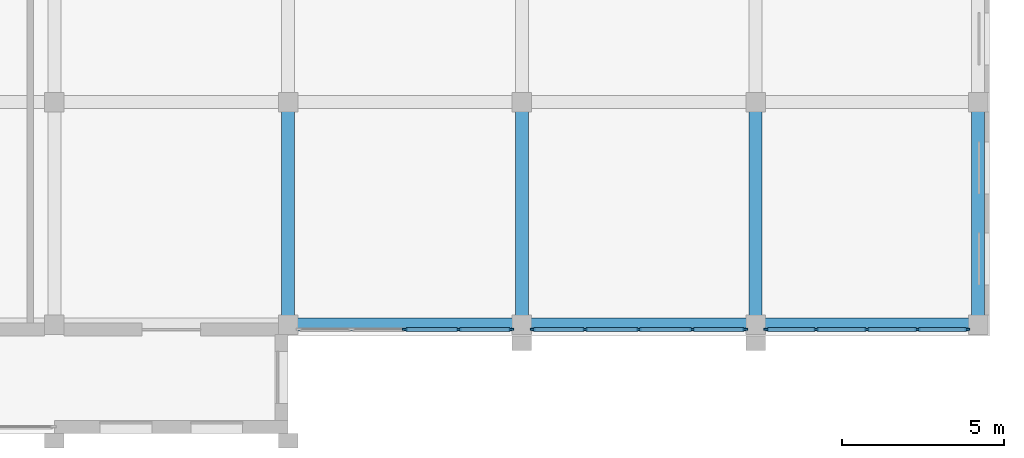
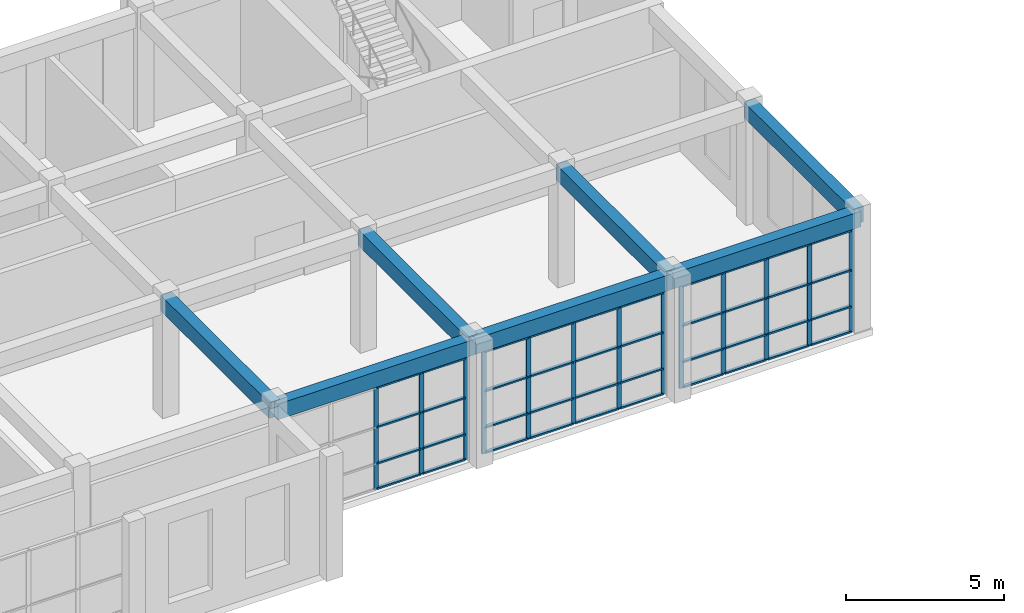
# One storey, part 105 of 149: 53 members, 7 beams, 3 elements without a shape of their own.
"""IFC4 building model written with IfcOpenShell, lengths in metres."""

from ifc_helpers import new_model, si_unit, direction, frame, origin, origin_2d, place, context, subcontext, project, spatial, rectangle, extrude, material, material_profile, profile_set, type_object, element, aggregate, save


model = new_model("IFC4")

# Units and contexts
model_context = context("Model", 3, precision=1e-05, world=origin(), true_north=direction((0.0, 1.0)))
body_context = subcontext(model_context, "Body", "Model", "MODEL_VIEW")
ifc_project = project(units=[si_unit("LENGTHUNIT", "METRE"), si_unit("AREAUNIT", "SQUARE_METRE"), si_unit("VOLUMEUNIT", "CUBIC_METRE"), si_unit("PLANEANGLEUNIT", "RADIAN"), si_unit("MASSUNIT", "GRAM", prefix="KILO")], contexts=[model_context])

# Site, building, storey
site_placement = place(None, origin())
site = spatial("IfcSite", under=ifc_project, at=site_placement, CompositionType="ELEMENT")
building_placement = place(site_placement, origin())
building = spatial("IfcBuilding", under=site, at=building_placement, Name="Alderwick Market Hall", CompositionType="ELEMENT")
storey_placement = place(building_placement, frame((0.0, 0.0, 9.60009765625)))
storey = spatial("IfcBuildingStorey", under=building, at=storey_placement, Name="L01", CompositionType="ELEMENT", Elevation=9.60009765625)

# Curtain wall, members
ifc_material_1 = material(Name="F Curtain Wall 1800 module")
curtain_wall_type = type_object("IfcCurtainWallType", Name="F Curtain Wall 1800 module", PredefinedType="NOTDEFINED", material=ifc_material_1)
curtain_wall_1_placement = place(storey_placement, origin())
curtain_wall_1 = element("IfcCurtainWall", 1, at=curtain_wall_1_placement, inside=storey, type_object=curtain_wall_type, Name="F.cw.L01.08", PredefinedType="NOTDEFINED")
ifc_material_2 = material(Name="Aluminium alloy 6063-T6", Category="aluminium")
ifc_material_profile_1 = material_profile(ifc_material_2, rectangle(XDim=0.06005859375, YDim=0.159912109375, at=origin_2d()), Name="AL 60x160")
ifc_profile_set_1 = profile_set([ifc_material_profile_1], Name="Aluminium alloy 6063-T6")
member_type_1 = type_object("IfcMemberType", Name="F Curtain Wall Mullion 60x160", PredefinedType="MULLION", material=ifc_profile_set_1)
member_1_placement = place(storey_placement, frame((215.669921875, 129.800048828125, 0.0), z_axis=(0.0, 0.0, 1.0), x_axis=(0.0, -1.0, 0.0)))
member_1 = element("IfcMember", 2, at=member_1_placement, type_object=member_type_1, Name="F-CW mullion 1", PredefinedType="MULLION", context=body_context, shape_type="SweptSolid", body=[
    extrude(rectangle(XDim=0.06005859375, YDim=0.159912109375, at=origin_2d()), origin(), (0.0, 0.0, 1.0), 3.949951171875),
])
member_2_placement = place(storey_placement, frame((214.050048828125, 129.800048828125, 0.0), z_axis=(0.0, 0.0, 1.0), x_axis=(0.0, -1.0, 0.0)))
member_2 = element("IfcMember", 3, at=member_2_placement, type_object=member_type_1, Name="F-CW mullion 2", PredefinedType="MULLION", context=body_context, shape_type="SweptSolid", body=[
    extrude(rectangle(XDim=0.06005859375, YDim=0.159912109375, at=origin_2d()), origin(), (0.0, 0.0, 1.0), 3.949951171875),
])
member_3_placement = place(storey_placement, frame((212.39990234375, 129.800048828125, 0.0), z_axis=(0.0, 0.0, 1.0), x_axis=(0.0, -1.0, 0.0)))
member_3 = element("IfcMember", 4, at=member_3_placement, type_object=member_type_1, Name="F-CW mullion 3", PredefinedType="MULLION", context=body_context, shape_type="SweptSolid", body=[
    extrude(rectangle(XDim=0.06005859375, YDim=0.159912109375, at=origin_2d()), origin(), (0.0, 0.0, 1.0), 3.949951171875),
])

curtain_wall_2_placement = place(storey_placement, origin())
curtain_wall_2 = element("IfcCurtainWall", 5, at=curtain_wall_2_placement, inside=storey, type_object=curtain_wall_type, Name="F.cw.L01.09", PredefinedType="NOTDEFINED")
member_4_placement = place(storey_placement, frame((222.8701171875, 129.800048828125, 0.0), z_axis=(0.0, 0.0, 1.0), x_axis=(0.0, -1.0, 0.0)))
member_4 = element("IfcMember", 6, at=member_4_placement, type_object=member_type_1, Name="F-CW mullion 1", PredefinedType="MULLION", context=body_context, shape_type="SweptSolid", body=[
    extrude(rectangle(XDim=0.06005859375, YDim=0.159912109375, at=origin_2d()), origin(), (0.0, 0.0, 1.0), 3.949951171875),
])
member_5_placement = place(storey_placement, frame((221.25, 129.800048828125, 0.0), z_axis=(0.0, 0.0, 1.0), x_axis=(0.0, -1.0, 0.0)))
member_5 = element("IfcMember", 7, at=member_5_placement, type_object=member_type_1, Name="F-CW mullion 2", PredefinedType="MULLION", context=body_context, shape_type="SweptSolid", body=[
    extrude(rectangle(XDim=0.06005859375, YDim=0.159912109375, at=origin_2d()), origin(), (0.0, 0.0, 1.0), 3.949951171875),
])
member_6_placement = place(storey_placement, frame((219.60009765625, 129.800048828125, 0.0), z_axis=(0.0, 0.0, 1.0), x_axis=(0.0, -1.0, 0.0)))
member_6 = element("IfcMember", 8, at=member_6_placement, type_object=member_type_1, Name="F-CW mullion 3", PredefinedType="MULLION", context=body_context, shape_type="SweptSolid", body=[
    extrude(rectangle(XDim=0.06005859375, YDim=0.159912109375, at=origin_2d()), origin(), (0.0, 0.0, 1.0), 3.949951171875),
])
member_7_placement = place(storey_placement, frame((217.949951171875, 129.800048828125, 0.0), z_axis=(0.0, 0.0, 1.0), x_axis=(0.0, -1.0, 0.0)))
member_7 = element("IfcMember", 9, at=member_7_placement, type_object=member_type_1, Name="F-CW mullion 4", PredefinedType="MULLION", context=body_context, shape_type="SweptSolid", body=[
    extrude(rectangle(XDim=0.06005859375, YDim=0.159912109375, at=origin_2d()), origin(), (0.0, 0.0, 1.0), 3.949951171875),
])
member_8_placement = place(storey_placement, frame((216.330078125, 129.800048828125, 0.0), z_axis=(0.0, 0.0, 1.0), x_axis=(0.0, -1.0, 0.0)))
member_8 = element("IfcMember", 10, at=member_8_placement, type_object=member_type_1, Name="F-CW mullion 5", PredefinedType="MULLION", context=body_context, shape_type="SweptSolid", body=[
    extrude(rectangle(XDim=0.06005859375, YDim=0.159912109375, at=origin_2d()), origin(), (0.0, 0.0, 1.0), 3.949951171875),
])

curtain_wall_3_placement = place(storey_placement, origin())
curtain_wall_3 = element("IfcCurtainWall", 11, at=curtain_wall_3_placement, inside=storey, type_object=curtain_wall_type, Name="F.cw.L01.10", PredefinedType="NOTDEFINED")
member_9_placement = place(storey_placement, frame((229.719970703125, 129.800048828125, 0.0), z_axis=(0.0, 0.0, 1.0), x_axis=(0.0, -1.0, 0.0)))
member_9 = element("IfcMember", 12, at=member_9_placement, type_object=member_type_1, Name="F-CW mullion 1", PredefinedType="MULLION", context=body_context, shape_type="SweptSolid", body=[
    extrude(rectangle(XDim=0.06005859375, YDim=0.159912109375, at=origin_2d()), origin(), (0.0, 0.0, 1.0), 3.949951171875),
])
member_10_placement = place(storey_placement, frame((228.1875, 129.800048828125, 0.0), z_axis=(0.0, 0.0, 1.0), x_axis=(0.0, -1.0, 0.0)))
member_10 = element("IfcMember", 13, at=member_10_placement, type_object=member_type_1, Name="F-CW mullion 2", PredefinedType="MULLION", context=body_context, shape_type="SweptSolid", body=[
    extrude(rectangle(XDim=0.06005859375, YDim=0.159912109375, at=origin_2d()), origin(), (0.0, 0.0, 1.0), 3.949951171875),
])
member_11_placement = place(storey_placement, frame((226.625, 129.800048828125, 0.0), z_axis=(0.0, 0.0, 1.0), x_axis=(0.0, -1.0, 0.0)))
member_11 = element("IfcMember", 14, at=member_11_placement, type_object=member_type_1, Name="F-CW mullion 3", PredefinedType="MULLION", context=body_context, shape_type="SweptSolid", body=[
    extrude(rectangle(XDim=0.06005859375, YDim=0.159912109375, at=origin_2d()), origin(), (0.0, 0.0, 1.0), 3.949951171875),
])
member_12_placement = place(storey_placement, frame((225.0625, 129.800048828125, 0.0), z_axis=(0.0, 0.0, 1.0), x_axis=(0.0, -1.0, 0.0)))
member_12 = element("IfcMember", 15, at=member_12_placement, type_object=member_type_1, Name="F-CW mullion 4", PredefinedType="MULLION", context=body_context, shape_type="SweptSolid", body=[
    extrude(rectangle(XDim=0.06005859375, YDim=0.159912109375, at=origin_2d()), origin(), (0.0, 0.0, 1.0), 3.949951171875),
])
member_13_placement = place(storey_placement, frame((223.530029296875, 129.800048828125, 0.0), z_axis=(0.0, 0.0, 1.0), x_axis=(0.0, -1.0, 0.0)))
member_13 = element("IfcMember", 16, at=member_13_placement, type_object=member_type_1, Name="F-CW mullion 5", PredefinedType="MULLION", context=body_context, shape_type="SweptSolid", body=[
    extrude(rectangle(XDim=0.06005859375, YDim=0.159912109375, at=origin_2d()), origin(), (0.0, 0.0, 1.0), 3.949951171875),
])

# Member
ifc_material_profile_2 = material_profile(ifc_material_2, rectangle(XDim=0.1201171875, YDim=0.06005859375, at=origin_2d()), Name="AL 60x120")
ifc_profile_set_2 = profile_set([ifc_material_profile_2], Name="Aluminium alloy 6063-T6")
member_type_2 = type_object("IfcMemberType", Name="F Curtain Wall Transom 60x120", PredefinedType="USERDEFINED", material=ifc_profile_set_2)
member_14_placement = place(storey_placement, frame((215.639892578125, 129.800048828125, 0.02978515625), z_axis=(-1.0, 0.0, 0.0), x_axis=(0.0, -1.0, 0.0)))
member_14 = element("IfcMember", 17, at=member_14_placement, type_object=member_type_2, Name="F-CW transom 1.1", ObjectType="TRANSOM", PredefinedType="USERDEFINED", context=body_context, shape_type="SweptSolid", body=[
    extrude(rectangle(XDim=0.1201171875, YDim=0.06005859375, at=origin_2d()), origin(), (0.0, 0.0, 1.0), 1.559814453125),
])

member_15_placement = place(storey_placement, frame((215.639892578125, 129.800048828125, 1.0), z_axis=(-1.0, 0.0, 0.0), x_axis=(0.0, -1.0, 0.0)))
member_15 = element("IfcMember", 18, at=member_15_placement, type_object=member_type_2, Name="F-CW transom 1.2", ObjectType="TRANSOM", PredefinedType="USERDEFINED", context=body_context, shape_type="SweptSolid", body=[
    extrude(rectangle(XDim=0.1201171875, YDim=0.06005859375, at=origin_2d()), origin(), (0.0, 0.0, 1.0), 1.559814453125),
])

member_16_placement = place(storey_placement, frame((215.639892578125, 129.800048828125, 2.39990234375), z_axis=(-1.0, 0.0, 0.0), x_axis=(0.0, -1.0, 0.0)))
member_16 = element("IfcMember", 19, at=member_16_placement, type_object=member_type_2, Name="F-CW transom 1.3", ObjectType="TRANSOM", PredefinedType="USERDEFINED", context=body_context, shape_type="SweptSolid", body=[
    extrude(rectangle(XDim=0.1201171875, YDim=0.06005859375, at=origin_2d()), origin(), (0.0, 0.0, 1.0), 1.559814453125),
])

member_17_placement = place(storey_placement, frame((215.639892578125, 129.800048828125, 3.919921875), z_axis=(-1.0, 0.0, 0.0), x_axis=(0.0, -1.0, 0.0)))
member_17 = element("IfcMember", 20, at=member_17_placement, type_object=member_type_2, Name="F-CW transom 1.4", ObjectType="TRANSOM", PredefinedType="USERDEFINED", context=body_context, shape_type="SweptSolid", body=[
    extrude(rectangle(XDim=0.1201171875, YDim=0.06005859375, at=origin_2d()), origin(), (0.0, 0.0, 1.0), 1.559814453125),
])

member_18_placement = place(storey_placement, frame((214.02001953125, 129.800048828125, 0.02978515625), z_axis=(-1.0, 0.0, 0.0), x_axis=(0.0, -1.0, 0.0)))
member_18 = element("IfcMember", 21, at=member_18_placement, type_object=member_type_2, Name="F-CW transom 2.1", ObjectType="TRANSOM", PredefinedType="USERDEFINED", context=body_context, shape_type="SweptSolid", body=[
    extrude(rectangle(XDim=0.1201171875, YDim=0.06005859375, at=origin_2d()), origin(), (0.0, 0.0, 1.0), 1.590087890625),
])

member_19_placement = place(storey_placement, frame((214.02001953125, 129.800048828125, 1.0), z_axis=(-1.0, 0.0, 0.0), x_axis=(0.0, -1.0, 0.0)))
member_19 = element("IfcMember", 22, at=member_19_placement, type_object=member_type_2, Name="F-CW transom 2.2", ObjectType="TRANSOM", PredefinedType="USERDEFINED", context=body_context, shape_type="SweptSolid", body=[
    extrude(rectangle(XDim=0.1201171875, YDim=0.06005859375, at=origin_2d()), origin(), (0.0, 0.0, 1.0), 1.590087890625),
])

member_20_placement = place(storey_placement, frame((214.02001953125, 129.800048828125, 2.39990234375), z_axis=(-1.0, 0.0, 0.0), x_axis=(0.0, -1.0, 0.0)))
member_20 = element("IfcMember", 23, at=member_20_placement, type_object=member_type_2, Name="F-CW transom 2.3", ObjectType="TRANSOM", PredefinedType="USERDEFINED", context=body_context, shape_type="SweptSolid", body=[
    extrude(rectangle(XDim=0.1201171875, YDim=0.06005859375, at=origin_2d()), origin(), (0.0, 0.0, 1.0), 1.590087890625),
])

member_21_placement = place(storey_placement, frame((214.02001953125, 129.800048828125, 3.919921875), z_axis=(-1.0, 0.0, 0.0), x_axis=(0.0, -1.0, 0.0)))
member_21 = element("IfcMember", 24, at=member_21_placement, type_object=member_type_2, Name="F-CW transom 2.4", ObjectType="TRANSOM", PredefinedType="USERDEFINED", context=body_context, shape_type="SweptSolid", body=[
    extrude(rectangle(XDim=0.1201171875, YDim=0.06005859375, at=origin_2d()), origin(), (0.0, 0.0, 1.0), 1.590087890625),
])

aggregate(curtain_wall_1, [member_1, member_2, member_3, member_14, member_15, member_16, member_17, member_18, member_19, member_20, member_21])

member_22_placement = place(storey_placement, frame((222.840087890625, 129.800048828125, 0.02978515625), z_axis=(-1.0, 0.0, 0.0), x_axis=(0.0, -1.0, 0.0)))
member_22 = element("IfcMember", 25, at=member_22_placement, type_object=member_type_2, Name="F-CW transom 1.1", ObjectType="TRANSOM", PredefinedType="USERDEFINED", context=body_context, shape_type="SweptSolid", body=[
    extrude(rectangle(XDim=0.1201171875, YDim=0.06005859375, at=origin_2d()), origin(), (0.0, 0.0, 1.0), 1.56005859375),
])

member_23_placement = place(storey_placement, frame((222.840087890625, 129.800048828125, 1.0), z_axis=(-1.0, 0.0, 0.0), x_axis=(0.0, -1.0, 0.0)))
member_23 = element("IfcMember", 26, at=member_23_placement, type_object=member_type_2, Name="F-CW transom 1.2", ObjectType="TRANSOM", PredefinedType="USERDEFINED", context=body_context, shape_type="SweptSolid", body=[
    extrude(rectangle(XDim=0.1201171875, YDim=0.06005859375, at=origin_2d()), origin(), (0.0, 0.0, 1.0), 1.56005859375),
])

member_24_placement = place(storey_placement, frame((222.840087890625, 129.800048828125, 2.39990234375), z_axis=(-1.0, 0.0, 0.0), x_axis=(0.0, -1.0, 0.0)))
member_24 = element("IfcMember", 27, at=member_24_placement, type_object=member_type_2, Name="F-CW transom 1.3", ObjectType="TRANSOM", PredefinedType="USERDEFINED", context=body_context, shape_type="SweptSolid", body=[
    extrude(rectangle(XDim=0.1201171875, YDim=0.06005859375, at=origin_2d()), origin(), (0.0, 0.0, 1.0), 1.56005859375),
])

member_25_placement = place(storey_placement, frame((222.840087890625, 129.800048828125, 3.919921875), z_axis=(-1.0, 0.0, 0.0), x_axis=(0.0, -1.0, 0.0)))
member_25 = element("IfcMember", 28, at=member_25_placement, type_object=member_type_2, Name="F-CW transom 1.4", ObjectType="TRANSOM", PredefinedType="USERDEFINED", context=body_context, shape_type="SweptSolid", body=[
    extrude(rectangle(XDim=0.1201171875, YDim=0.06005859375, at=origin_2d()), origin(), (0.0, 0.0, 1.0), 1.56005859375),
])

member_26_placement = place(storey_placement, frame((221.219970703125, 129.800048828125, 0.02978515625), z_axis=(-1.0, 0.0, 0.0), x_axis=(0.0, -1.0, 0.0)))
member_26 = element("IfcMember", 29, at=member_26_placement, type_object=member_type_2, Name="F-CW transom 2.1", ObjectType="TRANSOM", PredefinedType="USERDEFINED", context=body_context, shape_type="SweptSolid", body=[
    extrude(rectangle(XDim=0.1201171875, YDim=0.06005859375, at=origin_2d()), origin(), (0.0, 0.0, 1.0), 1.590087890625),
])

member_27_placement = place(storey_placement, frame((221.219970703125, 129.800048828125, 1.0), z_axis=(-1.0, 0.0, 0.0), x_axis=(0.0, -1.0, 0.0)))
member_27 = element("IfcMember", 30, at=member_27_placement, type_object=member_type_2, Name="F-CW transom 2.2", ObjectType="TRANSOM", PredefinedType="USERDEFINED", context=body_context, shape_type="SweptSolid", body=[
    extrude(rectangle(XDim=0.1201171875, YDim=0.06005859375, at=origin_2d()), origin(), (0.0, 0.0, 1.0), 1.590087890625),
])

member_28_placement = place(storey_placement, frame((221.219970703125, 129.800048828125, 2.39990234375), z_axis=(-1.0, 0.0, 0.0), x_axis=(0.0, -1.0, 0.0)))
member_28 = element("IfcMember", 31, at=member_28_placement, type_object=member_type_2, Name="F-CW transom 2.3", ObjectType="TRANSOM", PredefinedType="USERDEFINED", context=body_context, shape_type="SweptSolid", body=[
    extrude(rectangle(XDim=0.1201171875, YDim=0.06005859375, at=origin_2d()), origin(), (0.0, 0.0, 1.0), 1.590087890625),
])

member_29_placement = place(storey_placement, frame((221.219970703125, 129.800048828125, 3.919921875), z_axis=(-1.0, 0.0, 0.0), x_axis=(0.0, -1.0, 0.0)))
member_29 = element("IfcMember", 32, at=member_29_placement, type_object=member_type_2, Name="F-CW transom 2.4", ObjectType="TRANSOM", PredefinedType="USERDEFINED", context=body_context, shape_type="SweptSolid", body=[
    extrude(rectangle(XDim=0.1201171875, YDim=0.06005859375, at=origin_2d()), origin(), (0.0, 0.0, 1.0), 1.590087890625),
])

member_30_placement = place(storey_placement, frame((219.570068359375, 129.800048828125, 0.02978515625), z_axis=(-1.0, 0.0, 0.0), x_axis=(0.0, -1.0, 0.0)))
member_30 = element("IfcMember", 33, at=member_30_placement, type_object=member_type_2, Name="F-CW transom 3.1", ObjectType="TRANSOM", PredefinedType="USERDEFINED", context=body_context, shape_type="SweptSolid", body=[
    extrude(rectangle(XDim=0.1201171875, YDim=0.06005859375, at=origin_2d()), origin(), (0.0, 0.0, 1.0), 1.590087890625),
])

member_31_placement = place(storey_placement, frame((219.570068359375, 129.800048828125, 1.0), z_axis=(-1.0, 0.0, 0.0), x_axis=(0.0, -1.0, 0.0)))
member_31 = element("IfcMember", 34, at=member_31_placement, type_object=member_type_2, Name="F-CW transom 3.2", ObjectType="TRANSOM", PredefinedType="USERDEFINED", context=body_context, shape_type="SweptSolid", body=[
    extrude(rectangle(XDim=0.1201171875, YDim=0.06005859375, at=origin_2d()), origin(), (0.0, 0.0, 1.0), 1.590087890625),
])

member_32_placement = place(storey_placement, frame((219.570068359375, 129.800048828125, 2.39990234375), z_axis=(-1.0, 0.0, 0.0), x_axis=(0.0, -1.0, 0.0)))
member_32 = element("IfcMember", 35, at=member_32_placement, type_object=member_type_2, Name="F-CW transom 3.3", ObjectType="TRANSOM", PredefinedType="USERDEFINED", context=body_context, shape_type="SweptSolid", body=[
    extrude(rectangle(XDim=0.1201171875, YDim=0.06005859375, at=origin_2d()), origin(), (0.0, 0.0, 1.0), 1.590087890625),
])

member_33_placement = place(storey_placement, frame((219.570068359375, 129.800048828125, 3.919921875), z_axis=(-1.0, 0.0, 0.0), x_axis=(0.0, -1.0, 0.0)))
member_33 = element("IfcMember", 36, at=member_33_placement, type_object=member_type_2, Name="F-CW transom 3.4", ObjectType="TRANSOM", PredefinedType="USERDEFINED", context=body_context, shape_type="SweptSolid", body=[
    extrude(rectangle(XDim=0.1201171875, YDim=0.06005859375, at=origin_2d()), origin(), (0.0, 0.0, 1.0), 1.590087890625),
])

member_34_placement = place(storey_placement, frame((217.919921875, 129.800048828125, 0.02978515625), z_axis=(-1.0, 0.0, 0.0), x_axis=(0.0, -1.0, 0.0)))
member_34 = element("IfcMember", 37, at=member_34_placement, type_object=member_type_2, Name="F-CW transom 4.1", ObjectType="TRANSOM", PredefinedType="USERDEFINED", context=body_context, shape_type="SweptSolid", body=[
    extrude(rectangle(XDim=0.1201171875, YDim=0.06005859375, at=origin_2d()), origin(), (0.0, 0.0, 1.0), 1.559814453125),
])

member_35_placement = place(storey_placement, frame((217.919921875, 129.800048828125, 1.0), z_axis=(-1.0, 0.0, 0.0), x_axis=(0.0, -1.0, 0.0)))
member_35 = element("IfcMember", 38, at=member_35_placement, type_object=member_type_2, Name="F-CW transom 4.2", ObjectType="TRANSOM", PredefinedType="USERDEFINED", context=body_context, shape_type="SweptSolid", body=[
    extrude(rectangle(XDim=0.1201171875, YDim=0.06005859375, at=origin_2d()), origin(), (0.0, 0.0, 1.0), 1.559814453125),
])

member_36_placement = place(storey_placement, frame((217.919921875, 129.800048828125, 2.39990234375), z_axis=(-1.0, 0.0, 0.0), x_axis=(0.0, -1.0, 0.0)))
member_36 = element("IfcMember", 39, at=member_36_placement, type_object=member_type_2, Name="F-CW transom 4.3", ObjectType="TRANSOM", PredefinedType="USERDEFINED", context=body_context, shape_type="SweptSolid", body=[
    extrude(rectangle(XDim=0.1201171875, YDim=0.06005859375, at=origin_2d()), origin(), (0.0, 0.0, 1.0), 1.559814453125),
])

member_37_placement = place(storey_placement, frame((217.919921875, 129.800048828125, 3.919921875), z_axis=(-1.0, 0.0, 0.0), x_axis=(0.0, -1.0, 0.0)))
member_37 = element("IfcMember", 40, at=member_37_placement, type_object=member_type_2, Name="F-CW transom 4.4", ObjectType="TRANSOM", PredefinedType="USERDEFINED", context=body_context, shape_type="SweptSolid", body=[
    extrude(rectangle(XDim=0.1201171875, YDim=0.06005859375, at=origin_2d()), origin(), (0.0, 0.0, 1.0), 1.559814453125),
])

aggregate(curtain_wall_2, [member_4, member_5, member_6, member_7, member_8, member_22, member_23, member_24, member_25, member_26, member_27, member_28, member_29, member_30, member_31, member_32, member_33, member_34, member_35, member_36, member_37])

member_38_placement = place(storey_placement, frame((229.68994140625, 129.800048828125, 0.02978515625), z_axis=(-1.0, 0.0, 0.0), x_axis=(0.0, -1.0, 0.0)))
member_38 = element("IfcMember", 41, at=member_38_placement, type_object=member_type_2, Name="F-CW transom 1.1", ObjectType="TRANSOM", PredefinedType="USERDEFINED", context=body_context, shape_type="SweptSolid", body=[
    extrude(rectangle(XDim=0.1201171875, YDim=0.06005859375, at=origin_2d()), origin(), (0.0, 0.0, 1.0), 1.472412109375),
])

member_39_placement = place(storey_placement, frame((229.68994140625, 129.800048828125, 1.0), z_axis=(-1.0, 0.0, 0.0), x_axis=(0.0, -1.0, 0.0)))
member_39 = element("IfcMember", 42, at=member_39_placement, type_object=member_type_2, Name="F-CW transom 1.2", ObjectType="TRANSOM", PredefinedType="USERDEFINED", context=body_context, shape_type="SweptSolid", body=[
    extrude(rectangle(XDim=0.1201171875, YDim=0.06005859375, at=origin_2d()), origin(), (0.0, 0.0, 1.0), 1.472412109375),
])

member_40_placement = place(storey_placement, frame((229.68994140625, 129.800048828125, 2.39990234375), z_axis=(-1.0, 0.0, 0.0), x_axis=(0.0, -1.0, 0.0)))
member_40 = element("IfcMember", 43, at=member_40_placement, type_object=member_type_2, Name="F-CW transom 1.3", ObjectType="TRANSOM", PredefinedType="USERDEFINED", context=body_context, shape_type="SweptSolid", body=[
    extrude(rectangle(XDim=0.1201171875, YDim=0.06005859375, at=origin_2d()), origin(), (0.0, 0.0, 1.0), 1.472412109375),
])

member_41_placement = place(storey_placement, frame((229.68994140625, 129.800048828125, 3.919921875), z_axis=(-1.0, 0.0, 0.0), x_axis=(0.0, -1.0, 0.0)))
member_41 = element("IfcMember", 44, at=member_41_placement, type_object=member_type_2, Name="F-CW transom 1.4", ObjectType="TRANSOM", PredefinedType="USERDEFINED", context=body_context, shape_type="SweptSolid", body=[
    extrude(rectangle(XDim=0.1201171875, YDim=0.06005859375, at=origin_2d()), origin(), (0.0, 0.0, 1.0), 1.472412109375),
])

member_42_placement = place(storey_placement, frame((228.157470703125, 129.800048828125, 0.02978515625), z_axis=(-1.0, 0.0, 0.0), x_axis=(0.0, -1.0, 0.0)))
member_42 = element("IfcMember", 45, at=member_42_placement, type_object=member_type_2, Name="F-CW transom 2.1", ObjectType="TRANSOM", PredefinedType="USERDEFINED", context=body_context, shape_type="SweptSolid", body=[
    extrude(rectangle(XDim=0.1201171875, YDim=0.06005859375, at=origin_2d()), origin(), (0.0, 0.0, 1.0), 1.50244140625),
])

member_43_placement = place(storey_placement, frame((228.157470703125, 129.800048828125, 1.0), z_axis=(-1.0, 0.0, 0.0), x_axis=(0.0, -1.0, 0.0)))
member_43 = element("IfcMember", 46, at=member_43_placement, type_object=member_type_2, Name="F-CW transom 2.2", ObjectType="TRANSOM", PredefinedType="USERDEFINED", context=body_context, shape_type="SweptSolid", body=[
    extrude(rectangle(XDim=0.1201171875, YDim=0.06005859375, at=origin_2d()), origin(), (0.0, 0.0, 1.0), 1.50244140625),
])

member_44_placement = place(storey_placement, frame((228.157470703125, 129.800048828125, 2.39990234375), z_axis=(-1.0, 0.0, 0.0), x_axis=(0.0, -1.0, 0.0)))
member_44 = element("IfcMember", 47, at=member_44_placement, type_object=member_type_2, Name="F-CW transom 2.3", ObjectType="TRANSOM", PredefinedType="USERDEFINED", context=body_context, shape_type="SweptSolid", body=[
    extrude(rectangle(XDim=0.1201171875, YDim=0.06005859375, at=origin_2d()), origin(), (0.0, 0.0, 1.0), 1.50244140625),
])

member_45_placement = place(storey_placement, frame((228.157470703125, 129.800048828125, 3.919921875), z_axis=(-1.0, 0.0, 0.0), x_axis=(0.0, -1.0, 0.0)))
member_45 = element("IfcMember", 48, at=member_45_placement, type_object=member_type_2, Name="F-CW transom 2.4", ObjectType="TRANSOM", PredefinedType="USERDEFINED", context=body_context, shape_type="SweptSolid", body=[
    extrude(rectangle(XDim=0.1201171875, YDim=0.06005859375, at=origin_2d()), origin(), (0.0, 0.0, 1.0), 1.50244140625),
])

member_46_placement = place(storey_placement, frame((226.594970703125, 129.800048828125, 0.02978515625), z_axis=(-1.0, 0.0, 0.0), x_axis=(0.0, -1.0, 0.0)))
member_46 = element("IfcMember", 49, at=member_46_placement, type_object=member_type_2, Name="F-CW transom 3.1", ObjectType="TRANSOM", PredefinedType="USERDEFINED", context=body_context, shape_type="SweptSolid", body=[
    extrude(rectangle(XDim=0.1201171875, YDim=0.06005859375, at=origin_2d()), origin(), (0.0, 0.0, 1.0), 1.50244140625),
])

member_47_placement = place(storey_placement, frame((226.594970703125, 129.800048828125, 1.0), z_axis=(-1.0, 0.0, 0.0), x_axis=(0.0, -1.0, 0.0)))
member_47 = element("IfcMember", 50, at=member_47_placement, type_object=member_type_2, Name="F-CW transom 3.2", ObjectType="TRANSOM", PredefinedType="USERDEFINED", context=body_context, shape_type="SweptSolid", body=[
    extrude(rectangle(XDim=0.1201171875, YDim=0.06005859375, at=origin_2d()), origin(), (0.0, 0.0, 1.0), 1.50244140625),
])

member_48_placement = place(storey_placement, frame((226.594970703125, 129.800048828125, 2.39990234375), z_axis=(-1.0, 0.0, 0.0), x_axis=(0.0, -1.0, 0.0)))
member_48 = element("IfcMember", 51, at=member_48_placement, type_object=member_type_2, Name="F-CW transom 3.3", ObjectType="TRANSOM", PredefinedType="USERDEFINED", context=body_context, shape_type="SweptSolid", body=[
    extrude(rectangle(XDim=0.1201171875, YDim=0.06005859375, at=origin_2d()), origin(), (0.0, 0.0, 1.0), 1.50244140625),
])

member_49_placement = place(storey_placement, frame((226.594970703125, 129.800048828125, 3.919921875), z_axis=(-1.0, 0.0, 0.0), x_axis=(0.0, -1.0, 0.0)))
member_49 = element("IfcMember", 52, at=member_49_placement, type_object=member_type_2, Name="F-CW transom 3.4", ObjectType="TRANSOM", PredefinedType="USERDEFINED", context=body_context, shape_type="SweptSolid", body=[
    extrude(rectangle(XDim=0.1201171875, YDim=0.06005859375, at=origin_2d()), origin(), (0.0, 0.0, 1.0), 1.50244140625),
])

member_50_placement = place(storey_placement, frame((225.032470703125, 129.800048828125, 0.02978515625), z_axis=(-1.0, 0.0, 0.0), x_axis=(0.0, -1.0, 0.0)))
member_50 = element("IfcMember", 53, at=member_50_placement, type_object=member_type_2, Name="F-CW transom 4.1", ObjectType="TRANSOM", PredefinedType="USERDEFINED", context=body_context, shape_type="SweptSolid", body=[
    extrude(rectangle(XDim=0.1201171875, YDim=0.06005859375, at=origin_2d()), origin(), (0.0, 0.0, 1.0), 1.472412109375),
])

member_51_placement = place(storey_placement, frame((225.032470703125, 129.800048828125, 1.0), z_axis=(-1.0, 0.0, 0.0), x_axis=(0.0, -1.0, 0.0)))
member_51 = element("IfcMember", 54, at=member_51_placement, type_object=member_type_2, Name="F-CW transom 4.2", ObjectType="TRANSOM", PredefinedType="USERDEFINED", context=body_context, shape_type="SweptSolid", body=[
    extrude(rectangle(XDim=0.1201171875, YDim=0.06005859375, at=origin_2d()), origin(), (0.0, 0.0, 1.0), 1.472412109375),
])

member_52_placement = place(storey_placement, frame((225.032470703125, 129.800048828125, 2.39990234375), z_axis=(-1.0, 0.0, 0.0), x_axis=(0.0, -1.0, 0.0)))
member_52 = element("IfcMember", 55, at=member_52_placement, type_object=member_type_2, Name="F-CW transom 4.3", ObjectType="TRANSOM", PredefinedType="USERDEFINED", context=body_context, shape_type="SweptSolid", body=[
    extrude(rectangle(XDim=0.1201171875, YDim=0.06005859375, at=origin_2d()), origin(), (0.0, 0.0, 1.0), 1.472412109375),
])

member_53_placement = place(storey_placement, frame((225.032470703125, 129.800048828125, 3.919921875), z_axis=(-1.0, 0.0, 0.0), x_axis=(0.0, -1.0, 0.0)))
member_53 = element("IfcMember", 56, at=member_53_placement, type_object=member_type_2, Name="F-CW transom 4.4", ObjectType="TRANSOM", PredefinedType="USERDEFINED", context=body_context, shape_type="SweptSolid", body=[
    extrude(rectangle(XDim=0.1201171875, YDim=0.06005859375, at=origin_2d()), origin(), (0.0, 0.0, 1.0), 1.472412109375),
])

aggregate(curtain_wall_3, [member_9, member_10, member_11, member_12, member_13, member_38, member_39, member_40, member_41, member_42, member_43, member_44, member_45, member_46, member_47, member_48, member_49, member_50, member_51, member_52, member_53])

# Beams
ifc_material_3 = material(Name="Concrete 5000 psi (f'c 35 MPa)", Category="concrete")
ifc_material_profile_3 = material_profile(ifc_material_3, rectangle(XDim=0.39990234375, YDim=0.60009765625, at=origin_2d()), Name="RC 400x600")
ifc_profile_set_3 = profile_set([ifc_material_profile_3], Name="Concrete 5000 psi (f'c 35 MPa)")
beam_type = type_object("IfcBeamType", Name="F Floor Beam RC 400x600", PredefinedType="BEAM", material=ifc_profile_set_3)
for number, where, z_axis, x_axis, name in (
    (57, (208.800048828125, 129.949951171875, 4.25), (1.0, 0.0, 0.0), (0.0, 1.0, 0.0), "F.beam.L01.008"),
    (58, (216.0, 129.949951171875, 4.25), (1.0, 0.0, 0.0), (0.0, 1.0, 0.0), "F.beam.L01.009"),
):
    element("IfcBeam", number, at=place(storey_placement, frame(where, z_axis=z_axis, x_axis=x_axis)), inside=storey, type_object=beam_type, Name=name, PredefinedType="BEAM", context=body_context, shape_type="SweptSolid", body=[
        extrude(rectangle(XDim=0.39990234375, YDim=0.60009765625, at=origin_2d()), origin(), (0.0, 0.0, 1.0), 7.199951171875),
    ])
for number, where, z_axis, x_axis, name in (
    (59, (223.199951171875, 129.949951171875, 4.25), (1.0, 0.0, 0.0), (0.0, 1.0, 0.0), "F.beam.L01.010"),
    (60, (208.800048828125, 129.949951171875, 4.25), (0.0, 1.0, 0.0), (-1.0, 0.0, 0.0), "F.beam.L01.055"),
    (61, (216.0, 129.949951171875, 4.25), (0.0, 1.0, 0.0), (-1.0, 0.0, 0.0), "F.beam.L01.058"),
    (62, (223.199951171875, 129.949951171875, 4.25), (0.0, 1.0, 0.0), (-1.0, 0.0, 0.0), "F.beam.L01.061"),
    (63, (230.050048828125, 129.949951171875, 4.25), (0.0, 1.0, 0.0), (-1.0, 0.0, 0.0), "F.beam.L01.063"),
):
    element("IfcBeam", number, at=place(storey_placement, frame(where, z_axis=z_axis, x_axis=x_axis)), inside=storey, type_object=beam_type, Name=name, PredefinedType="BEAM", context=body_context, shape_type="SweptSolid", body=[
        extrude(rectangle(XDim=0.39990234375, YDim=0.60009765625, at=origin_2d()), origin(), (0.0, 0.0, 1.0), 6.85009765625),
    ])

save(model, "model.ifc")
